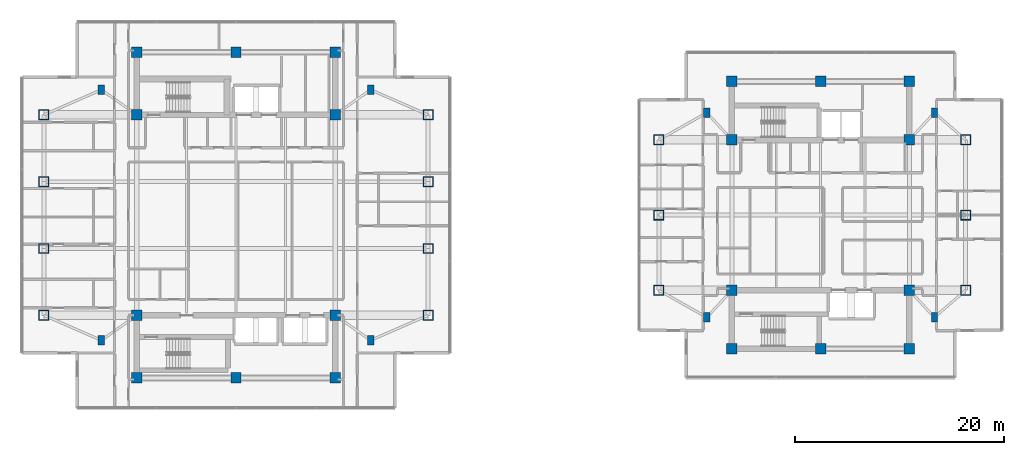
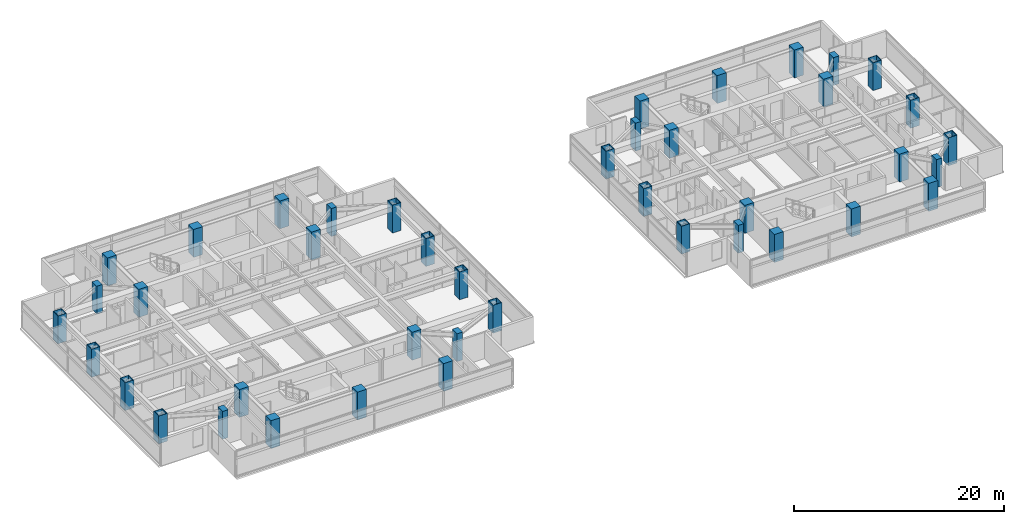
# One storey, part 1 of 24: 42 columns.
"""IFC4 building model written with IfcOpenShell, lengths in metres."""

from ifc_helpers import new_model, si_unit, direction, frame, origin, origin_2d, place, context, subcontext, project, spatial, rectangle, hollow_rectangle, extrude, material, material_profile, profile_set, type_object, element, save


model = new_model("IFC4")

# Units and contexts
model_context = context("Model", 3, precision=1e-05, world=origin(), true_north=direction((0.0, 1.0)))
body_context = subcontext(model_context, "Body", "Model", "MODEL_VIEW")
ifc_project = project(units=[si_unit("LENGTHUNIT", "METRE"), si_unit("AREAUNIT", "SQUARE_METRE"), si_unit("VOLUMEUNIT", "CUBIC_METRE"), si_unit("PLANEANGLEUNIT", "RADIAN"), si_unit("MASSUNIT", "GRAM", prefix="KILO")], contexts=[model_context])

# Site, building, storey
site_placement = place(None, origin())
site = spatial("IfcSite", under=ifc_project, at=site_placement, CompositionType="ELEMENT")
building_placement = place(site_placement, origin())
building = spatial("IfcBuilding", under=site, at=building_placement, Name="Mirazonda Arch Towers", CompositionType="ELEMENT")
storey_placement = place(building_placement, frame((0.0, 0.0, 164.14990234375)))
storey = spatial("IfcBuildingStorey", under=building, at=storey_placement, Name="L46", CompositionType="ELEMENT", Elevation=164.14990234375)

# Columns
ifc_material_1 = material(Name="Concrete C50/60", Category="concrete")
ifc_material_profile_1 = material_profile(ifc_material_1, rectangle(XDim=1.0, YDim=1.0, at=origin_2d()), Name="RC1000x1000")
ifc_profile_set_1 = profile_set([ifc_material_profile_1], Name="Concrete C50/60")
column_type_1 = type_object("IfcColumnType", Name="COL-INT-RC1000x1000", PredefinedType="COLUMN", material=ifc_profile_set_1)
for number, where, z_axis, x_axis, name in (
    (1, (11.0, 12.39990234375, 0.0), (0.0, 0.0, 1.0), (1.0, 0.0, 0.0), "L46 T1 Core Column 01"),
    (2, (20.5, 12.39990234375, 0.0), (0.0, 0.0, 1.0), (1.0, 0.0, 0.0), "L46 T1 Core Column 02"),
    (3, (30.0, 12.39990234375, 0.0), (0.0, 0.0, 1.0), (1.0, 0.0, 0.0), "L46 T1 Core Column 03"),
    (4, (11.0, 18.39990234375, 0.0), (0.0, 0.0, 1.0), (1.0, 0.0, 0.0), "L46 T1 Core Column 04"),
    (5, (30.0, 18.39990234375, 0.0), (0.0, 0.0, 1.0), (1.0, 0.0, 0.0), "L46 T1 Core Column 05"),
    (6, (11.0, 37.60009765625, 0.0), (0.0, 0.0, 1.0), (1.0, 0.0, 0.0), "L46 T1 Core Column 06"),
    (7, (30.0, 37.60009765625, 0.0), (0.0, 0.0, 1.0), (1.0, 0.0, 0.0), "L46 T1 Core Column 07"),
    (8, (11.0, 43.60009765625, 0.0), (0.0, 0.0, 1.0), (1.0, 0.0, 0.0), "L46 T1 Core Column 08"),
    (9, (20.5, 43.60009765625, 0.0), (0.0, 0.0, 1.0), (1.0, 0.0, 0.0), "L46 T1 Core Column 09"),
    (10, (30.0, 43.60009765625, 0.0), (0.0, 0.0, 1.0), (1.0, 0.0, 0.0), "L46 T1 Core Column 10"),
    (11, (68.0, 15.199951171875, 0.0), (0.0, 0.0, 1.0), (1.0, 0.0, 0.0), "L46 T2 Core Column 01"),
    (12, (76.5, 15.199951171875, 0.0), (0.0, 0.0, 1.0), (1.0, 0.0, 0.0), "L46 T2 Core Column 02"),
    (13, (85.0, 15.199951171875, 0.0), (0.0, 0.0, 1.0), (1.0, 0.0, 0.0), "L46 T2 Core Column 03"),
    (14, (68.0, 20.800048828125, 0.0), (0.0, 0.0, 1.0), (1.0, 0.0, 0.0), "L46 T2 Core Column 04"),
    (15, (85.0, 20.800048828125, 0.0), (0.0, 0.0, 1.0), (1.0, 0.0, 0.0), "L46 T2 Core Column 05"),
    (16, (68.0, 35.199951171875, 0.0), (0.0, 0.0, 1.0), (1.0, 0.0, 0.0), "L46 T2 Core Column 06"),
    (17, (85.0, 35.199951171875, 0.0), (0.0, 0.0, 1.0), (1.0, 0.0, 0.0), "L46 T2 Core Column 07"),
    (18, (68.0, 40.800048828125, 0.0), (0.0, 0.0, 1.0), (1.0, 0.0, 0.0), "L46 T2 Core Column 08"),
    (19, (76.5, 40.800048828125, 0.0), (0.0, 0.0, 1.0), (1.0, 0.0, 0.0), "L46 T2 Core Column 09"),
    (20, (85.0, 40.800048828125, 0.0), (0.0, 0.0, 1.0), (1.0, 0.0, 0.0), "L46 T2 Core Column 10"),
):
    element("IfcColumn", number, at=place(storey_placement, frame(where, z_axis=z_axis, x_axis=x_axis)), inside=storey, type_object=column_type_1, Name=name, PredefinedType="COLUMN", context=body_context, shape_type="SweptSolid", body=[
        extrude(rectangle(XDim=1.0, YDim=1.0, at=origin_2d()), origin(), (0.0, 0.0, 1.0), 3.25),
    ])
ifc_material_2 = material(Name="Steel ASTM A572 Grade 50", Category="steel")
ifc_material_profile_2 = material_profile(ifc_material_2, hollow_rectangle(XDim=0.949951171875, YDim=0.949951171875, WallThickness=0.050048828125, at=origin_2d()), Name="BOX950x950x50")
ifc_profile_set_2 = profile_set([ifc_material_profile_2], Name="Steel ASTM A572 Grade 50")
column_type_2 = type_object("IfcColumnType", Name="MCOL-EXT-BOX950x950x50", PredefinedType="COLUMN", material=ifc_profile_set_2)
for number, where, z_axis, x_axis, name in (
    (21, (2.10009765625, 18.39990234375, 0.0), (0.0, 0.0, 1.0), (1.0, 0.0, 0.0), "L46 T1 Composite Mega-Column 01"),
    (22, (2.10009765625, 24.800048828125, 0.0), (0.0, 0.0, 1.0), (1.0, 0.0, 0.0), "L46 T1 Composite Mega-Column 02"),
    (23, (2.10009765625, 31.199951171875, 0.0), (0.0, 0.0, 1.0), (1.0, 0.0, 0.0), "L46 T1 Composite Mega-Column 03"),
    (24, (2.10009765625, 37.60009765625, 0.0), (0.0, 0.0, 1.0), (1.0, 0.0, 0.0), "L46 T1 Composite Mega-Column 04"),
    (25, (38.89990234375, 18.39990234375, 0.0), (0.0, 0.0, 1.0), (1.0, 0.0, 0.0), "L46 T1 Composite Mega-Column 05"),
    (26, (38.89990234375, 24.800048828125, 0.0), (0.0, 0.0, 1.0), (1.0, 0.0, 0.0), "L46 T1 Composite Mega-Column 06"),
    (27, (38.89990234375, 31.199951171875, 0.0), (0.0, 0.0, 1.0), (1.0, 0.0, 0.0), "L46 T1 Composite Mega-Column 07"),
    (28, (38.89990234375, 37.60009765625, 0.0), (0.0, 0.0, 1.0), (1.0, 0.0, 0.0), "L46 T1 Composite Mega-Column 08"),
    (29, (61.0, 20.800048828125, 0.0), (0.0, 0.0, 1.0), (1.0, 0.0, 0.0), "L46 T2 Composite Mega-Column 01"),
    (30, (61.0, 28.0, 0.0), (0.0, 0.0, 1.0), (1.0, 0.0, 0.0), "L46 T2 Composite Mega-Column 02"),
    (31, (61.0, 35.199951171875, 0.0), (0.0, 0.0, 1.0), (1.0, 0.0, 0.0), "L46 T2 Composite Mega-Column 03"),
    (32, (90.39990234375, 20.800048828125, 0.0), (0.0, 0.0, 1.0), (1.0, 0.0, 0.0), "L46 T2 Composite Mega-Column 04"),
    (33, (90.39990234375, 28.0, 0.0), (0.0, 0.0, 1.0), (1.0, 0.0, 0.0), "L46 T2 Composite Mega-Column 05"),
    (34, (90.39990234375, 35.199951171875, 0.0), (0.0, 0.0, 1.0), (1.0, 0.0, 0.0), "L46 T2 Composite Mega-Column 06"),
):
    element("IfcColumn", number, at=place(storey_placement, frame(where, z_axis=z_axis, x_axis=x_axis)), inside=storey, type_object=column_type_2, Name=name, PredefinedType="COLUMN", context=body_context, shape_type="SweptSolid", body=[
        extrude(hollow_rectangle(XDim=0.949951171875, YDim=0.949951171875, WallThickness=0.050048828125, at=origin_2d()), origin(), (0.0, 0.0, 1.0), 3.25),
    ])
ifc_material_profile_3 = material_profile(ifc_material_1, rectangle(XDim=0.60009765625, YDim=0.89990234375, at=origin_2d()), Name="RC900x600")
ifc_profile_set_3 = profile_set([ifc_material_profile_3], Name="Concrete C50/60")
column_type_3 = type_object("IfcColumnType", Name="PIL-EXT-RC900x600", PredefinedType="PILASTER", material=ifc_profile_set_3)
for number, where, z_axis, x_axis, name in (
    (35, (7.60009765625, 16.0, 0.0), (0.0, 0.0, 1.0), (1.0, 0.0, 0.0), "L46 T1 Corner Pilaster 01"),
    (36, (33.39990234375, 16.0, 0.0), (0.0, 0.0, 1.0), (1.0, 0.0, 0.0), "L46 T1 Corner Pilaster 02"),
    (37, (7.60009765625, 40.0, 0.0), (0.0, 0.0, 1.0), (1.0, 0.0, 0.0), "L46 T1 Corner Pilaster 03"),
    (38, (33.39990234375, 40.0, 0.0), (0.0, 0.0, 1.0), (1.0, 0.0, 0.0), "L46 T1 Corner Pilaster 04"),
    (39, (65.60009765625, 18.199951171875, 0.0), (0.0, 0.0, 1.0), (1.0, 0.0, 0.0), "L46 T2 Corner Pilaster 01"),
    (40, (87.39990234375, 18.199951171875, 0.0), (0.0, 0.0, 1.0), (1.0, 0.0, 0.0), "L46 T2 Corner Pilaster 02"),
    (41, (65.60009765625, 37.800048828125, 0.0), (0.0, 0.0, 1.0), (1.0, 0.0, 0.0), "L46 T2 Corner Pilaster 03"),
    (42, (87.39990234375, 37.800048828125, 0.0), (0.0, 0.0, 1.0), (1.0, 0.0, 0.0), "L46 T2 Corner Pilaster 04"),
):
    element("IfcColumn", number, at=place(storey_placement, frame(where, z_axis=z_axis, x_axis=x_axis)), inside=storey, type_object=column_type_3, Name=name, PredefinedType="PILASTER", context=body_context, shape_type="SweptSolid", body=[
        extrude(rectangle(XDim=0.60009765625, YDim=0.89990234375, at=origin_2d()), origin(), (0.0, 0.0, 1.0), 3.25),
    ])

save(model, "model.ifc")
